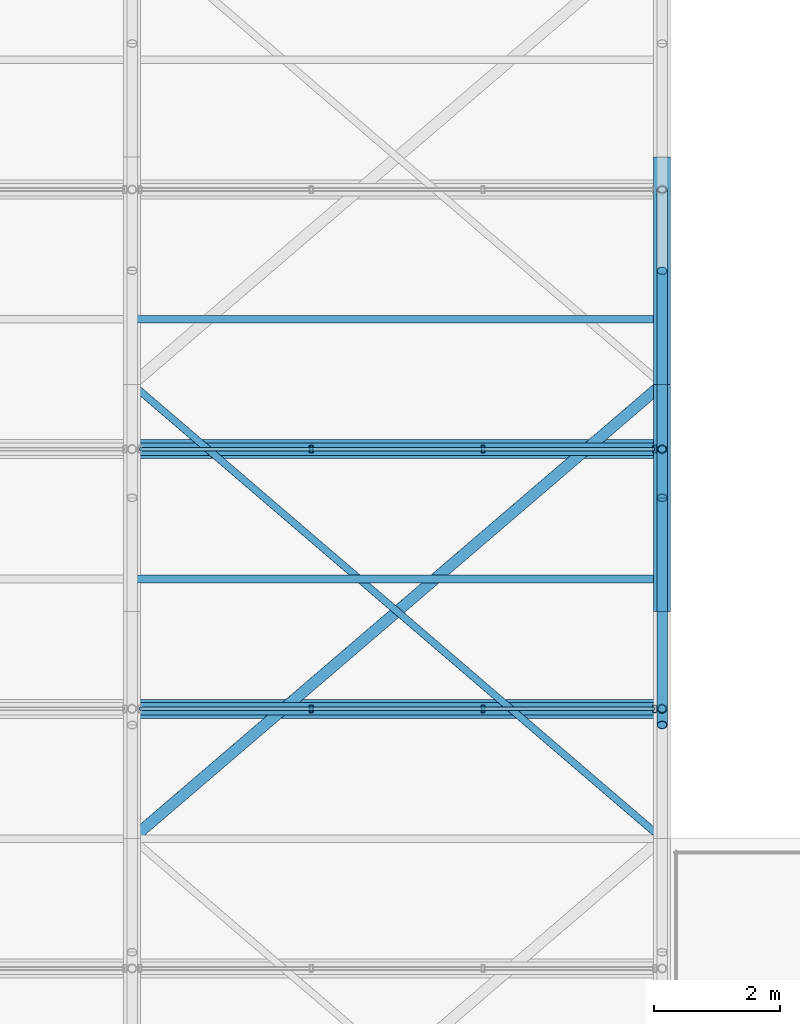
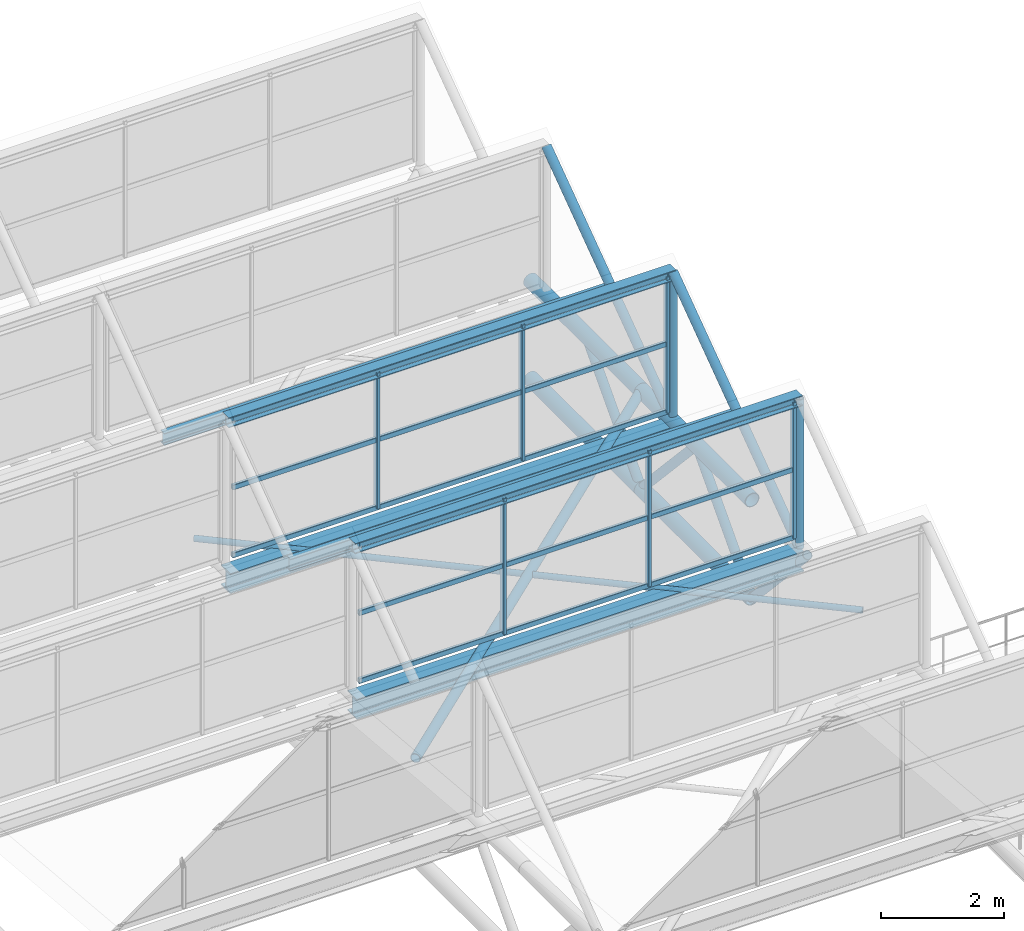
# One storey, part 90 of 134: 26 members, 6 beams, 2 elements without a shape of their own.
"""IFC4 building model written with IfcOpenShell, lengths in metres."""

from ifc_helpers import new_model, si_unit, derived_unit, direction, frame, origin, origin_2d, place, context, subcontext, project, spatial, hollow_rectangle, hollow_circle, i_section, extrude, material, material_profile, profile_set, type_object, element, aggregate, save


model = new_model("IFC4")

# Units and contexts
model_context = context("Model", 3, precision=1e-05, world=origin(), true_north=direction((0.0, 1.0)))
body_context = subcontext(model_context, "Body", "Model", "MODEL_VIEW")
ifc_project = project(units=[si_unit("LENGTHUNIT", "METRE"), si_unit("AREAUNIT", "SQUARE_METRE"), si_unit("VOLUMEUNIT", "CUBIC_METRE"), si_unit("PLANEANGLEUNIT", "RADIAN"), si_unit("MASSUNIT", "GRAM", prefix="KILO"), derived_unit("THERMALTRANSMITTANCEUNIT", [(si_unit("MASSUNIT", "GRAM", prefix="KILO"), 1), (si_unit("TIMEUNIT", "SECOND"), -3), (si_unit("THERMODYNAMICTEMPERATUREUNIT", "KELVIN"), -1)])], contexts=[model_context])

# Site, building, storey
site_placement = place(None, origin())
site = spatial("IfcSite", under=ifc_project, at=site_placement, CompositionType="ELEMENT")
building_placement = place(site_placement, origin())
building = spatial("IfcBuilding", under=site, at=building_placement, Name="Kharveza Railside Sports Centre", CompositionType="ELEMENT")
storey_placement = place(building_placement, frame((0.0, 0.0, 12.89990234375)))
storey = spatial("IfcBuildingStorey", under=building, at=storey_placement, Name="L03", CompositionType="ELEMENT", Elevation=12.89990234375)

# Beams
ifc_material_1 = material(Name="Steel S355J2", Category="steel")
ifc_material_profile_1 = material_profile(ifc_material_1, i_section(OverallWidth=0.300048828125, OverallDepth=0.39990234375, WebThickness=0.013427734375, FlangeThickness=0.02392578125, FilletRadius=0.027099609375, at=origin_2d()), Name="HEB 400")
ifc_profile_set_1 = profile_set([ifc_material_profile_1], Name="Steel S355J2")
beam_type_1 = type_object("IfcBeamType", Name="BM-G07", PredefinedType="T_BEAM", material=ifc_profile_set_1)
for number, where, z_axis, x_axis, name in (
    (1, (134.39990234375, 95.656982421875, 1.760009765625), (1.0, 0.0, 0.0), (0.0, 1.0, 0.0), "BM-V2SAW-VAL-5-6"),
    (2, (134.39990234375, 99.771484375, 1.760009765625), (1.0, 0.0, 0.0), (0.0, 1.0, 0.0), "BM-V2SAW-VAL-6-6"),
):
    element("IfcBeam", number, at=place(storey_placement, frame(where, z_axis=z_axis, x_axis=x_axis)), inside=storey, type_object=beam_type_1, Name=name, PredefinedType="T_BEAM", context=body_context, shape_type="SweptSolid", body=[
        extrude(i_section(OverallWidth=0.300048828125, OverallDepth=0.39990234375, WebThickness=0.013427734375, FlangeThickness=0.02392578125, FilletRadius=0.027099609375, at=origin_2d()), origin(), (0.0, 0.0, 1.0), 8.400146484375),
    ])
ifc_material_2 = material(Name="Steel S275JR", Category="steel")
ifc_material_profile_2 = material_profile(ifc_material_2, i_section(OverallWidth=0.1201171875, OverallDepth=0.239990234375, WebThickness=0.006103515625, FlangeThickness=0.009765625, FilletRadius=0.014892578125, at=origin_2d()), Name="IPE 240")
ifc_profile_set_2 = profile_set([ifc_material_profile_2], Name="Steel S275JR")
beam_type_2 = type_object("IfcBeamType", Name="BM-J01", PredefinedType="JOIST", material=ifc_profile_set_2)
for number, where, z_axis, x_axis, name in (
    (3, (134.39990234375, 97.714111328125, 3.320068359375), (1.0, 0.0, 0.0), (0.0, 1.0, 0.0), "BM-V2SAW-PUR-5-6"),
    (4, (134.39990234375, 101.82861328125, 3.320068359375), (1.0, 0.0, 0.0), (0.0, 1.0, 0.0), "BM-V2SAW-PUR-6-6"),
):
    element("IfcBeam", number, at=place(storey_placement, frame(where, z_axis=z_axis, x_axis=x_axis)), inside=storey, type_object=beam_type_2, Name=name, PredefinedType="JOIST", context=body_context, shape_type="SweptSolid", body=[
        extrude(i_section(OverallWidth=0.1201171875, OverallDepth=0.239990234375, WebThickness=0.006103515625, FlangeThickness=0.009765625, FilletRadius=0.014892578125, at=origin_2d()), origin(), (0.0, 0.0, 1.0), 8.400146484375),
    ])
ifc_material_profile_3 = material_profile(ifc_material_2, i_section(OverallWidth=0.199951171875, OverallDepth=0.199951171875, WebThickness=0.009033203125, FlangeThickness=0.014892578125, FilletRadius=0.01806640625, at=origin_2d()), Name="HEB 200")
ifc_profile_set_3 = profile_set([ifc_material_profile_3], Name="Steel S275JR")
beam_type_3 = type_object("IfcBeamType", Name="BM-J05", PredefinedType="JOIST", material=ifc_profile_set_3)
for number, where, z_axis, x_axis, name in (
    (5, (134.39990234375, 95.656982421875, 4.920166015625), (1.0, 0.0, 0.0), (0.0, 1.0, 0.0), "BM-V2SAW-RDG-4-6"),
    (6, (134.39990234375, 99.771484375, 4.920166015625), (1.0, 0.0, 0.0), (0.0, 1.0, 0.0), "BM-V2SAW-RDG-5-6"),
):
    element("IfcBeam", number, at=place(storey_placement, frame(where, z_axis=z_axis, x_axis=x_axis)), inside=storey, type_object=beam_type_3, Name=name, PredefinedType="JOIST", context=body_context, shape_type="SweptSolid", body=[
        extrude(i_section(OverallWidth=0.199951171875, OverallDepth=0.199951171875, WebThickness=0.009033203125, FlangeThickness=0.014892578125, FilletRadius=0.01806640625, at=origin_2d()), origin(), (0.0, 0.0, 1.0), 8.400146484375),
    ])

# Curtain wall, members
ifc_material_3 = material(Name="Low-E solar-control laminated glass", Category="glass")
curtain_wall_type = type_object("IfcCurtainWallType", Name="CW-NL02", PredefinedType="NOTDEFINED", material=ifc_material_3)
curtain_wall_1_placement = place(storey_placement, origin())
curtain_wall_1 = element("IfcCurtainWall", 7, at=curtain_wall_1_placement, inside=storey, type_object=curtain_wall_type, Name="CW-V2NL-4-6", PredefinedType="NOTDEFINED")
ifc_material_4 = material(Name="Anodised aluminium 6063-T6", Category="aluminium")
ifc_material_profile_4 = material_profile(ifc_material_4, hollow_rectangle(XDim=0.06005859375, YDim=0.1201171875, WallThickness=0.0048828125, InnerFilletRadius=0.0048828125, OuterFilletRadius=0.010009765625, at=origin_2d()), Name="RHS 60x120x5.0")
ifc_profile_set_4 = profile_set([ifc_material_profile_4], Name="Anodised aluminium 6063-T6")
member_type_1 = type_object("IfcMemberType", Name="CW-ML05", PredefinedType="MULLION", material=ifc_profile_set_4)
member_1_placement = place(storey_placement, frame((137.239990234375, 95.656982421875, 2.2001953125), z_axis=(0.0, 0.0, 1.0), x_axis=(1.0, 0.0, 0.0)))
member_1 = element("IfcMember", 8, at=member_1_placement, type_object=member_type_1, Name="CW-V2NL-4-6-ML2", PredefinedType="MULLION", context=body_context, shape_type="SweptSolid", body=[
    extrude(hollow_rectangle(XDim=0.06005859375, YDim=0.1201171875, WallThickness=0.0048828125, InnerFilletRadius=0.0048828125, OuterFilletRadius=0.010009765625, at=origin_2d()), origin(), (0.0, 0.0, 1.0), 2.699951171875),
])
member_2_placement = place(storey_placement, frame((139.9599609375, 95.656982421875, 2.2001953125), z_axis=(0.0, 0.0, 1.0), x_axis=(1.0, 0.0, 0.0)))
member_2 = element("IfcMember", 9, at=member_2_placement, type_object=member_type_1, Name="CW-V2NL-4-6-ML3", PredefinedType="MULLION", context=body_context, shape_type="SweptSolid", body=[
    extrude(hollow_rectangle(XDim=0.06005859375, YDim=0.1201171875, WallThickness=0.0048828125, InnerFilletRadius=0.0048828125, OuterFilletRadius=0.010009765625, at=origin_2d()), origin(), (0.0, 0.0, 1.0), 2.699951171875),
])
member_3_placement = place(storey_placement, frame((142.679931640625, 95.656982421875, 2.2001953125), z_axis=(0.0, 0.0, 1.0), x_axis=(1.0, 0.0, 0.0)))
member_3 = element("IfcMember", 10, at=member_3_placement, type_object=member_type_1, Name="CW-V2NL-4-6-ML4", PredefinedType="MULLION", context=body_context, shape_type="SweptSolid", body=[
    extrude(hollow_rectangle(XDim=0.06005859375, YDim=0.1201171875, WallThickness=0.0048828125, InnerFilletRadius=0.0048828125, OuterFilletRadius=0.010009765625, at=origin_2d()), origin(), (0.0, 0.0, 1.0), 2.699951171875),
])

curtain_wall_2_placement = place(storey_placement, origin())
curtain_wall_2 = element("IfcCurtainWall", 11, at=curtain_wall_2_placement, inside=storey, type_object=curtain_wall_type, Name="CW-V2NL-5-6", PredefinedType="NOTDEFINED")
member_4_placement = place(storey_placement, frame((137.239990234375, 99.771484375, 2.2001953125), z_axis=(0.0, 0.0, 1.0), x_axis=(1.0, 0.0, 0.0)))
member_4 = element("IfcMember", 12, at=member_4_placement, type_object=member_type_1, Name="CW-V2NL-5-6-ML2", PredefinedType="MULLION", context=body_context, shape_type="SweptSolid", body=[
    extrude(hollow_rectangle(XDim=0.06005859375, YDim=0.1201171875, WallThickness=0.0048828125, InnerFilletRadius=0.0048828125, OuterFilletRadius=0.010009765625, at=origin_2d()), origin(), (0.0, 0.0, 1.0), 2.699951171875),
])
member_5_placement = place(storey_placement, frame((139.9599609375, 99.771484375, 2.2001953125), z_axis=(0.0, 0.0, 1.0), x_axis=(1.0, 0.0, 0.0)))
member_5 = element("IfcMember", 13, at=member_5_placement, type_object=member_type_1, Name="CW-V2NL-5-6-ML3", PredefinedType="MULLION", context=body_context, shape_type="SweptSolid", body=[
    extrude(hollow_rectangle(XDim=0.06005859375, YDim=0.1201171875, WallThickness=0.0048828125, InnerFilletRadius=0.0048828125, OuterFilletRadius=0.010009765625, at=origin_2d()), origin(), (0.0, 0.0, 1.0), 2.699951171875),
])
member_6_placement = place(storey_placement, frame((142.679931640625, 99.771484375, 2.2001953125), z_axis=(0.0, 0.0, 1.0), x_axis=(1.0, 0.0, 0.0)))
member_6 = element("IfcMember", 14, at=member_6_placement, type_object=member_type_1, Name="CW-V2NL-5-6-ML4", PredefinedType="MULLION", context=body_context, shape_type="SweptSolid", body=[
    extrude(hollow_rectangle(XDim=0.06005859375, YDim=0.1201171875, WallThickness=0.0048828125, InnerFilletRadius=0.0048828125, OuterFilletRadius=0.010009765625, at=origin_2d()), origin(), (0.0, 0.0, 1.0), 2.699951171875),
])

# Member
ifc_material_profile_5 = material_profile(ifc_material_4, hollow_rectangle(XDim=0.06005859375, YDim=0.10009765625, WallThickness=0.00390625, InnerFilletRadius=0.00390625, OuterFilletRadius=0.008056640625, at=origin_2d()), Name="RHS 60x100x4.0")
ifc_profile_set_5 = profile_set([ifc_material_profile_5], Name="Anodised aluminium 6063-T6")
member_type_2 = type_object("IfcMemberType", Name="CW-TR05", PredefinedType="USERDEFINED", material=ifc_profile_set_5)
member_7_placement = place(storey_placement, frame((134.52001953125, 95.656982421875, 2.2001953125), z_axis=(1.0, 0.0, 0.0), x_axis=(0.0, 1.0, 0.0)))
member_7 = element("IfcMember", 15, at=member_7_placement, type_object=member_type_2, Name="CW-V2NL-4-6-TR1", ObjectType="TRANSOM", PredefinedType="USERDEFINED", context=body_context, shape_type="SweptSolid", body=[
    extrude(hollow_rectangle(XDim=0.06005859375, YDim=0.10009765625, WallThickness=0.00390625, InnerFilletRadius=0.00390625, OuterFilletRadius=0.008056640625, at=origin_2d()), origin(), (0.0, 0.0, 1.0), 8.159912109375),
])

member_8_placement = place(storey_placement, frame((134.52001953125, 95.656982421875, 3.550048828125), z_axis=(1.0, 0.0, 0.0), x_axis=(0.0, 1.0, 0.0)))
member_8 = element("IfcMember", 16, at=member_8_placement, type_object=member_type_2, Name="CW-V2NL-4-6-TR2", ObjectType="TRANSOM", PredefinedType="USERDEFINED", context=body_context, shape_type="SweptSolid", body=[
    extrude(hollow_rectangle(XDim=0.06005859375, YDim=0.10009765625, WallThickness=0.00390625, InnerFilletRadius=0.00390625, OuterFilletRadius=0.008056640625, at=origin_2d()), origin(), (0.0, 0.0, 1.0), 8.159912109375),
])

member_9_placement = place(storey_placement, frame((134.52001953125, 95.656982421875, 4.900146484375), z_axis=(1.0, 0.0, 0.0), x_axis=(0.0, 1.0, 0.0)))
member_9 = element("IfcMember", 17, at=member_9_placement, type_object=member_type_2, Name="CW-V2NL-4-6-TR3", ObjectType="TRANSOM", PredefinedType="USERDEFINED", context=body_context, shape_type="SweptSolid", body=[
    extrude(hollow_rectangle(XDim=0.06005859375, YDim=0.10009765625, WallThickness=0.00390625, InnerFilletRadius=0.00390625, OuterFilletRadius=0.008056640625, at=origin_2d()), origin(), (0.0, 0.0, 1.0), 8.159912109375),
])

aggregate(curtain_wall_1, [member_1, member_2, member_3, member_7, member_8, member_9])

member_10_placement = place(storey_placement, frame((134.52001953125, 99.771484375, 2.2001953125), z_axis=(1.0, 0.0, 0.0), x_axis=(0.0, 1.0, 0.0)))
member_10 = element("IfcMember", 18, at=member_10_placement, type_object=member_type_2, Name="CW-V2NL-5-6-TR1", ObjectType="TRANSOM", PredefinedType="USERDEFINED", context=body_context, shape_type="SweptSolid", body=[
    extrude(hollow_rectangle(XDim=0.06005859375, YDim=0.10009765625, WallThickness=0.00390625, InnerFilletRadius=0.00390625, OuterFilletRadius=0.008056640625, at=origin_2d()), origin(), (0.0, 0.0, 1.0), 8.159912109375),
])

member_11_placement = place(storey_placement, frame((134.52001953125, 99.771484375, 3.550048828125), z_axis=(1.0, 0.0, 0.0), x_axis=(0.0, 1.0, 0.0)))
member_11 = element("IfcMember", 19, at=member_11_placement, type_object=member_type_2, Name="CW-V2NL-5-6-TR2", ObjectType="TRANSOM", PredefinedType="USERDEFINED", context=body_context, shape_type="SweptSolid", body=[
    extrude(hollow_rectangle(XDim=0.06005859375, YDim=0.10009765625, WallThickness=0.00390625, InnerFilletRadius=0.00390625, OuterFilletRadius=0.008056640625, at=origin_2d()), origin(), (0.0, 0.0, 1.0), 8.159912109375),
])

member_12_placement = place(storey_placement, frame((134.52001953125, 99.771484375, 4.900146484375), z_axis=(1.0, 0.0, 0.0), x_axis=(0.0, 1.0, 0.0)))
member_12 = element("IfcMember", 20, at=member_12_placement, type_object=member_type_2, Name="CW-V2NL-5-6-TR3", ObjectType="TRANSOM", PredefinedType="USERDEFINED", context=body_context, shape_type="SweptSolid", body=[
    extrude(hollow_rectangle(XDim=0.06005859375, YDim=0.10009765625, WallThickness=0.00390625, InnerFilletRadius=0.00390625, OuterFilletRadius=0.008056640625, at=origin_2d()), origin(), (0.0, 0.0, 1.0), 8.159912109375),
])

aggregate(curtain_wall_2, [member_4, member_5, member_6, member_10, member_11, member_12])

# Members
ifc_material_profile_6 = material_profile(ifc_material_1, hollow_circle(Radius=0.0888671875, WallThickness=0.010009765625, at=origin_2d()), Name="CHS 177.8x10.0")
ifc_profile_set_6 = profile_set([ifc_material_profile_6], Name="Steel S355J2")
member_type_3 = type_object("IfcMemberType", Name="MB-BR03", PredefinedType="BRACE", material=ifc_profile_set_6)
member_13_placement = place(storey_placement, frame((134.39990234375, 93.60009765625, 1.9501953125), z_axis=(0.759264390716, 0.650782286936, 0.0), x_axis=(-0.650782286936, 0.759264390716, 0.0)))
element("IfcMember", 21, at=member_13_placement, inside=storey, type_object=member_type_3, Name="MB-ROOFBR-V2-6-3A", PredefinedType="BRACE", context=body_context, shape_type="SweptSolid", body=[
    extrude(hollow_circle(Radius=0.0888671875, WallThickness=0.010009765625, at=origin_2d()), origin(), (0.0, 0.0, 1.0), 11.0634765625),
])
ifc_material_profile_7 = material_profile(ifc_material_2, hollow_circle(Radius=0.05712890625, WallThickness=0.00634765625, at=origin_2d()), Name="CHS 114.3x6.3")
ifc_profile_set_7 = profile_set([ifc_material_profile_7], Name="Steel S275JR")
member_type_4 = type_object("IfcMemberType", Name="MB-BR04", PredefinedType="BRACE", material=ifc_profile_set_7)
member_14_placement = place(storey_placement, frame((142.800048828125, 93.60009765625, 1.9501953125), z_axis=(-0.759264390716, 0.650782286936, 0.0), x_axis=(-0.650782286936, -0.759264390716, 0.0)))
element("IfcMember", 22, at=member_14_placement, inside=storey, type_object=member_type_4, Name="MB-ROOFBR-V2-6-3B", PredefinedType="BRACE", context=body_context, shape_type="SweptSolid", body=[
    extrude(hollow_circle(Radius=0.05712890625, WallThickness=0.00634765625, at=origin_2d()), origin(), (0.0, 0.0, 1.0), 11.0634765625),
])
ifc_material_profile_8 = material_profile(ifc_material_1, hollow_circle(Radius=0.136474609375, WallThickness=0.01416015625, at=origin_2d()), Name="CHS 273.0x14.2")
ifc_profile_set_8 = profile_set([ifc_material_profile_8], Name="Steel S355J2")
member_type_5 = type_object("IfcMemberType", Name="MB-CH03", PredefinedType="CHORD", material=ifc_profile_set_8)
for number, where, z_axis, x_axis, name in (
    (23, (142.800048828125, 97.199951171875, 0.0), (0.0, 1.0, 0.0), (-1.0, 0.0, 0.0), "MB-V2TR-BC-7-6"),
    (24, (142.800048828125, 97.199951171875, 1.9501953125), (0.0, 1.0, 0.0), (-1.0, 0.0, 0.0), "MB-V2TR-TC-7-6"),
):
    element("IfcMember", number, at=place(storey_placement, frame(where, z_axis=z_axis, x_axis=x_axis)), inside=storey, type_object=member_type_5, Name=name, PredefinedType="CHORD", context=body_context, shape_type="SweptSolid", body=[
        extrude(hollow_circle(Radius=0.136474609375, WallThickness=0.01416015625, at=origin_2d()), origin(), (0.0, 0.0, 1.0), 3.60009765625),
    ])
for number, where, z_axis, x_axis, name in (
    (25, (142.800048828125, 100.800048828125, 0.0), (0.0, 1.0, 0.0), (-1.0, 0.0, 0.0), "MB-V2TR-BC-7-7"),
    (26, (142.800048828125, 100.800048828125, 1.9501953125), (0.0, 1.0, 0.0), (-1.0, 0.0, 0.0), "MB-V2TR-TC-7-7"),
):
    element("IfcMember", number, at=place(storey_placement, frame(where, z_axis=z_axis, x_axis=x_axis)), inside=storey, type_object=member_type_5, Name=name, PredefinedType="CHORD", context=body_context, shape_type="SweptSolid", body=[
        extrude(hollow_circle(Radius=0.136474609375, WallThickness=0.01416015625, at=origin_2d()), origin(), (0.0, 0.0, 1.0), 3.599853515625),
    ])
ifc_material_profile_9 = material_profile(ifc_material_1, hollow_circle(Radius=0.084228515625, WallThickness=0.010009765625, at=origin_2d()), Name="CHS 168.3x10.0")
ifc_profile_set_9 = profile_set([ifc_material_profile_9], Name="Steel S355J2")
member_type_6 = type_object("IfcMemberType", Name="MB-ST03", PredefinedType="STRUT", material=ifc_profile_set_9)
for number, where, z_axis, x_axis, name in (
    (27, (142.800048828125, 95.39990234375, 1.9501953125), (0.0, 0.67825335715, -0.734828131956), (-1.0, 0.0, 0.0), "MB-V2TR-D2-7-5"),
    (28, (142.800048828125, 97.199951171875, 0.0), (0.0, 0.67825335715, 0.734828131956), (-1.0, 0.0, 0.0), "MB-V2TR-D1-7-6"),
    (29, (142.800048828125, 99.0, 1.9501953125), (0.0, 0.67825335715, -0.734828131956), (-1.0, 0.0, 0.0), "MB-V2TR-D2-7-6"),
    (30, (142.800048828125, 100.800048828125, 0.0), (0.0, 0.67825335715, 0.734828131956), (-1.0, 0.0, 0.0), "MB-V2TR-D1-7-7"),
):
    element("IfcMember", number, at=place(storey_placement, frame(where, z_axis=z_axis, x_axis=x_axis)), inside=storey, type_object=member_type_6, Name=name, PredefinedType="STRUT", context=body_context, shape_type="SweptSolid", body=[
        extrude(hollow_circle(Radius=0.084228515625, WallThickness=0.010009765625, at=origin_2d()), origin(), (0.0, 0.0, 1.0), 2.654052734375),
    ])
member_15_placement = place(storey_placement, frame((142.800048828125, 95.656982421875, 1.9501953125), z_axis=(0.0, 0.810830173333, 0.585281496386), x_axis=(-1.0, 0.0, 0.0)))
element("IfcMember", 31, at=member_15_placement, inside=storey, type_object=member_type_6, Name="MB-V2SAW-RFT-5-7", PredefinedType="STRUT", context=body_context, shape_type="SweptSolid", body=[
    extrude(hollow_circle(Radius=0.084228515625, WallThickness=0.010009765625, at=origin_2d()), origin(), (0.0, 0.0, 1.0), 5.074462890625),
])
member_16_placement = place(storey_placement, frame((142.800048828125, 99.771484375, 1.9501953125), z_axis=(0.0, 0.810813691418, 0.585304329225), x_axis=(-1.0, 0.0, 0.0)))
element("IfcMember", 32, at=member_16_placement, inside=storey, type_object=member_type_6, Name="MB-V2SAW-RFT-6-7", PredefinedType="STRUT", context=body_context, shape_type="SweptSolid", body=[
    extrude(hollow_circle(Radius=0.084228515625, WallThickness=0.010009765625, at=origin_2d()), origin(), (0.0, 0.0, 1.0), 5.07421875),
])
ifc_material_profile_10 = material_profile(ifc_material_1, hollow_circle(Radius=0.06982421875, WallThickness=0.008056640625, at=origin_2d()), Name="CHS 139.7x8.0")
ifc_profile_set_10 = profile_set([ifc_material_profile_10], Name="Steel S355J2")
member_type_7 = type_object("IfcMemberType", Name="MB-ST04", PredefinedType="STRUT", material=ifc_profile_set_10)
for number, where, z_axis, x_axis, name in (
    (33, (142.800048828125, 95.656982421875, 1.9501953125), (0.0, 0.0, 1.0), (1.0, 0.0, 0.0), "MB-V2SAW-PST-4-7"),
    (34, (142.800048828125, 99.771484375, 1.9501953125), (0.0, 0.0, 1.0), (1.0, 0.0, 0.0), "MB-V2SAW-PST-5-7"),
):
    element("IfcMember", number, at=place(storey_placement, frame(where, z_axis=z_axis, x_axis=x_axis)), inside=storey, type_object=member_type_7, Name=name, PredefinedType="STRUT", context=body_context, shape_type="SweptSolid", body=[
        extrude(hollow_circle(Radius=0.06982421875, WallThickness=0.008056640625, at=origin_2d()), origin(), (0.0, 0.0, 1.0), 2.969970703125),
    ])

save(model, "model.ifc")
